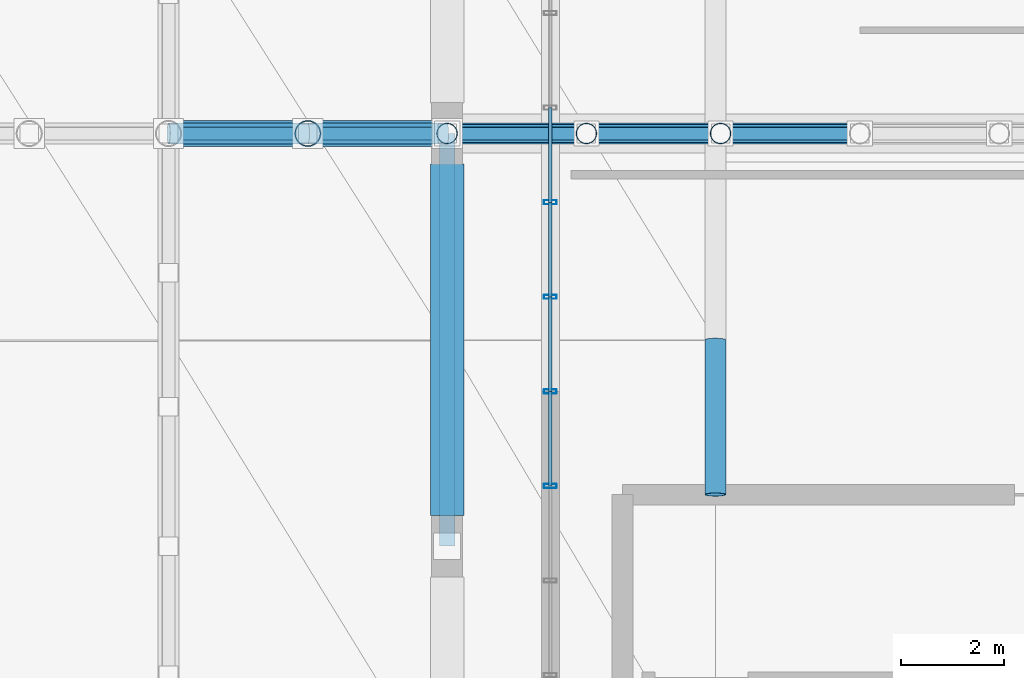
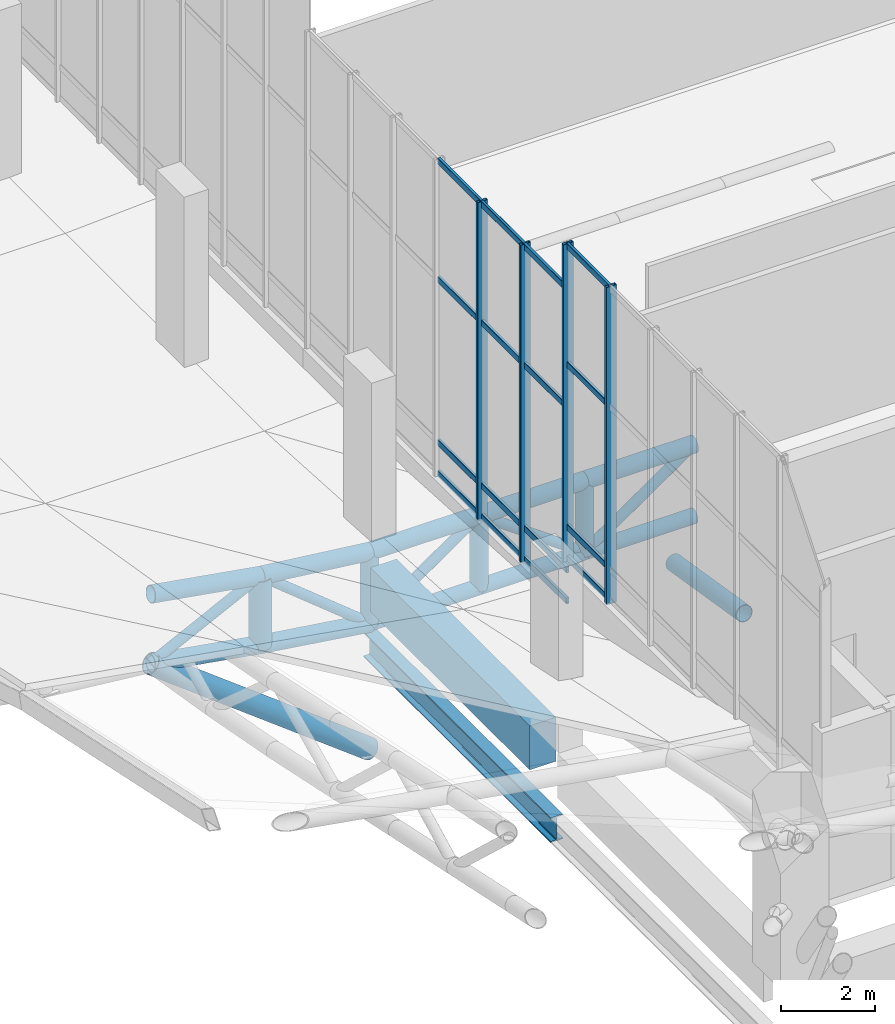
# One storey, part 15 of 137: 41 members, 2 beams, 2 elements without a shape of their own.
"""IFC4 building model written with IfcOpenShell, lengths in metres."""

from ifc_helpers import new_model, si_unit, direction, frame, origin, origin_2d, place, context, subcontext, project, spatial, rectangle, hollow_rectangle, hollow_circle, i_section, extrude, material, layer, layer_set, material_profile, profile_set, type_object, element, aggregate, save


model = new_model("IFC4")

# Units and contexts
model_context = context("Model", 3, precision=1e-05, world=origin(), true_north=direction((0.0, 1.0)))
body_context = subcontext(model_context, "Body", "Model", "MODEL_VIEW")
ifc_project = project(units=[si_unit("LENGTHUNIT", "METRE"), si_unit("AREAUNIT", "SQUARE_METRE"), si_unit("VOLUMEUNIT", "CUBIC_METRE"), si_unit("PLANEANGLEUNIT", "RADIAN"), si_unit("MASSUNIT", "GRAM", prefix="KILO")], contexts=[model_context])

# Site, building, storey
site_placement = place(None, origin())
site = spatial("IfcSite", under=ifc_project, at=site_placement, CompositionType="ELEMENT")
building_placement = place(site_placement, origin())
building = spatial("IfcBuilding", under=site, at=building_placement, Name="Khorjan Park Terminus", CompositionType="ELEMENT")
storey_placement = place(building_placement, frame((0.0, 0.0, 11.4)))
storey = spatial("IfcBuildingStorey", under=building, at=storey_placement, Name="L02", CompositionType="ELEMENT", Elevation=11.4)

# Members
ifc_material_1 = material(Name="Steel S355", Category="steel")
ifc_material_profile_1 = material_profile(ifc_material_1, hollow_circle(Radius=0.1222, WallThickness=0.0125, at=origin_2d()), Name="CHS 244.5x12.5")
ifc_profile_set_1 = profile_set([ifc_material_profile_1], Name="Steel S355")
member_type_1 = type_object("IfcMemberType", Name="MB-BR-245", PredefinedType="BRACE", material=ifc_profile_set_1)
member_1_placement = place(storey_placement, frame((48.0, 44.0, -1.92), z_axis=(0.822082565391, 0.0, 0.569368295289), x_axis=(0.0, 1.0, 0.0)))
element("IfcMember", 1, at=member_1_placement, inside=storey, type_object=member_type_1, Name="Lower shell W/E truss diagonal (W1)", PredefinedType="BRACE", context=body_context, shape_type="SweptSolid", body=[
    extrude(hollow_circle(Radius=0.1222, WallThickness=0.0125, at=origin_2d()), origin(), (0.0, 0.0, 1.0), 3.2843),
])
member_2_placement = place(storey_placement, frame((50.7, 44.0, -0.05), z_axis=(0.811830357573, 0.0, -0.583893372562), x_axis=(0.0, 1.0, 0.0)))
element("IfcMember", 2, at=member_2_placement, inside=storey, type_object=member_type_1, Name="Lower shell W/E truss diagonal (W1)", PredefinedType="BRACE", context=body_context, shape_type="SweptSolid", body=[
    extrude(hollow_circle(Radius=0.1222, WallThickness=0.0125, at=origin_2d()), origin(), (0.0, 0.0, 1.0), 3.2026),
])
member_3_placement = place(storey_placement, frame((53.3, 44.0, -1.92), z_axis=(0.822082565391, 0.0, 0.569368295289), x_axis=(0.0, 1.0, 0.0)))
element("IfcMember", 3, at=member_3_placement, inside=storey, type_object=member_type_1, Name="Lower shell W/E truss diagonal (W1)", PredefinedType="BRACE", context=body_context, shape_type="SweptSolid", body=[
    extrude(hollow_circle(Radius=0.1222, WallThickness=0.0125, at=origin_2d()), origin(), (0.0, 0.0, 1.0), 3.2843),
])
ifc_material_profile_2 = material_profile(ifc_material_1, hollow_circle(Radius=0.1222, WallThickness=0.0125, at=origin_2d()), Name="CHS 244.5x12.5")
ifc_profile_set_2 = profile_set([ifc_material_profile_2], Name="Steel S355")
member_type_2 = type_object("IfcMemberType", Name="MB-BRE-245", PredefinedType="BRACE", material=ifc_profile_set_2)
member_4_placement = place(storey_placement, frame((42.6, 44.0, -1.0767), z_axis=(0.895485989032, 0.0, 0.445089702697), x_axis=(0.0, 1.0, 0.0)))
element("IfcMember", 4, at=member_4_placement, inside=storey, type_object=member_type_2, Name="Lower shell W/E truss diagonal (W1)", PredefinedType="BRACE", context=body_context, shape_type="SweptSolid", body=[
    extrude(hollow_circle(Radius=0.1222, WallThickness=0.0125, at=origin_2d()), origin(), (0.0, 0.0, 1.0), 3.0151),
])
member_5_placement = place(storey_placement, frame((45.3, 44.0, 0.2653), z_axis=(0.777303194685, 0.0, -0.629126174572), x_axis=(0.0, 1.0, 0.0)))
element("IfcMember", 5, at=member_5_placement, inside=storey, type_object=member_type_2, Name="Lower shell W/E truss diagonal (W1)", PredefinedType="BRACE", context=body_context, shape_type="SweptSolid", body=[
    extrude(hollow_circle(Radius=0.1222, WallThickness=0.0125, at=origin_2d()), origin(), (0.0, 0.0, 1.0), 3.4735),
])
ifc_material_profile_3 = material_profile(ifc_material_1, hollow_circle(Radius=0.1778, WallThickness=0.016, at=origin_2d()), Name="CHS 355.6x16")
ifc_profile_set_3 = profile_set([ifc_material_profile_3], Name="Steel S355")
member_type_3 = type_object("IfcMemberType", Name="MB-CH-356", PredefinedType="CHORD", material=ifc_profile_set_3)
member_6_placement = place(storey_placement, frame((48.0, 44.0, -1.92), z_axis=(1.0, 0.0, 0.0), x_axis=(0.0, 1.0, 0.0)))
element("IfcMember", 6, at=member_6_placement, inside=storey, type_object=member_type_3, Name="Lower shell W/E truss bottom chord (W1)", PredefinedType="CHORD", context=body_context, shape_type="SweptSolid", body=[
    extrude(hollow_circle(Radius=0.1778, WallThickness=0.016, at=origin_2d()), origin(), (0.0, 0.0, 1.0), 2.7),
])
member_7_placement = place(storey_placement, frame((50.7, 44.0, -1.92), z_axis=(1.0, 0.0, 0.0), x_axis=(0.0, 1.0, 0.0)))
element("IfcMember", 7, at=member_7_placement, inside=storey, type_object=member_type_3, Name="Lower shell W/E truss bottom chord (W1)", PredefinedType="CHORD", context=body_context, shape_type="SweptSolid", body=[
    extrude(hollow_circle(Radius=0.1778, WallThickness=0.016, at=origin_2d()), origin(), (0.0, 0.0, 1.0), 2.6),
])
member_8_placement = place(storey_placement, frame((53.3, 44.0, -1.92), z_axis=(1.0, 0.0, 0.0), x_axis=(0.0, 1.0, 0.0)))
element("IfcMember", 8, at=member_8_placement, inside=storey, type_object=member_type_3, Name="Lower shell W/E truss bottom chord (W1)", PredefinedType="CHORD", context=body_context, shape_type="SweptSolid", body=[
    extrude(hollow_circle(Radius=0.1778, WallThickness=0.016, at=origin_2d()), origin(), (0.0, 0.0, 1.0), 2.7),
])
ifc_material_profile_4 = material_profile(ifc_material_1, hollow_circle(Radius=0.2032, WallThickness=0.016, at=origin_2d()), Name="CHS 406.4x16")
ifc_profile_set_4 = profile_set([ifc_material_profile_4], Name="Steel S355")
member_type_4 = type_object("IfcMemberType", Name="MB-CH-406", PredefinedType="CHORD", material=ifc_profile_set_4)
member_9_placement = place(storey_placement, frame((53.2, 37.0, 0.754), z_axis=(0.0, 0.98702667737, -0.160556339519), x_axis=(-1.0, 0.0, 0.0)))
element("IfcMember", 9, at=member_9_placement, inside=storey, type_object=member_type_4, Name="Lower wrapping shell rim chord (129)", PredefinedType="CHORD", context=body_context, shape_type="SweptSolid", body=[
    extrude(hollow_circle(Radius=0.2032, WallThickness=0.016, at=origin_2d()), origin(), (0.0, 0.0, 1.0), 3.0394),
])
member_10_placement = place(storey_placement, frame((48.0, 44.0, -0.05), z_axis=(1.0, 0.0, 0.0), x_axis=(0.0, 1.0, 0.0)))
element("IfcMember", 10, at=member_10_placement, inside=storey, type_object=member_type_4, Name="Lower shell W/E truss top chord (W1)", PredefinedType="CHORD", context=body_context, shape_type="SweptSolid", body=[
    extrude(hollow_circle(Radius=0.2032, WallThickness=0.016, at=origin_2d()), origin(), (0.0, 0.0, 1.0), 2.7),
])
member_11_placement = place(storey_placement, frame((50.7, 44.0, -0.05), z_axis=(1.0, 0.0, 0.0), x_axis=(0.0, 1.0, 0.0)))
element("IfcMember", 11, at=member_11_placement, inside=storey, type_object=member_type_4, Name="Lower shell W/E truss top chord (W1)", PredefinedType="CHORD", context=body_context, shape_type="SweptSolid", body=[
    extrude(hollow_circle(Radius=0.2032, WallThickness=0.016, at=origin_2d()), origin(), (0.0, 0.0, 1.0), 2.6),
])
member_12_placement = place(storey_placement, frame((53.3, 44.0, -0.05), z_axis=(1.0, 0.0, 0.0), x_axis=(0.0, 1.0, 0.0)))
element("IfcMember", 12, at=member_12_placement, inside=storey, type_object=member_type_4, Name="Lower shell W/E truss top chord (W1)", PredefinedType="CHORD", context=body_context, shape_type="SweptSolid", body=[
    extrude(hollow_circle(Radius=0.2032, WallThickness=0.016, at=origin_2d()), origin(), (0.0, 0.0, 1.0), 2.7),
])
ifc_material_profile_5 = material_profile(ifc_material_1, hollow_circle(Radius=0.2032, WallThickness=0.016, at=origin_2d()), Name="CHS 406.4x16")
ifc_profile_set_5 = profile_set([ifc_material_profile_5], Name="Steel S355")
member_type_5 = type_object("IfcMemberType", Name="MB-CHE-406", PredefinedType="CHORD", material=ifc_profile_set_5)
for number, where, z_axis, x_axis, name in (
    (13, (42.6, 44.0, 0.7233), (0.985916115378, 0.0, -0.167240585497), (0.0, 1.0, 0.0), "Lower shell W/E truss top chord (W1)"),
    (14, (42.6, 44.0, -1.0767), (0.985916115378, 0.0, -0.167240585497), (0.0, 1.0, 0.0), "Lower shell W/E truss bottom chord (W1)"),
):
    element("IfcMember", number, at=place(storey_placement, frame(where, z_axis=z_axis, x_axis=x_axis)), inside=storey, type_object=member_type_5, Name=name, PredefinedType="CHORD", context=body_context, shape_type="SweptSolid", body=[
        extrude(hollow_circle(Radius=0.2032, WallThickness=0.016, at=origin_2d()), origin(), (0.0, 0.0, 1.0), 2.7386),
    ])
member_13_placement = place(storey_placement, frame((45.3, 44.0, 0.2653), z_axis=(0.993250430547, 0.0, -0.115989578056), x_axis=(0.0, 1.0, 0.0)))
element("IfcMember", 15, at=member_13_placement, inside=storey, type_object=member_type_5, Name="Lower shell W/E truss top chord (W1)", PredefinedType="CHORD", context=body_context, shape_type="SweptSolid", body=[
    extrude(hollow_circle(Radius=0.2032, WallThickness=0.016, at=origin_2d()), origin(), (0.0, 0.0, 1.0), 2.7183),
])
member_14_placement = place(storey_placement, frame((45.3, 44.0, -1.5347), z_axis=(0.989970748507, 0.0, -0.14127249237), x_axis=(0.0, 1.0, 0.0)))
element("IfcMember", 16, at=member_14_placement, inside=storey, type_object=member_type_5, Name="Lower shell W/E truss bottom chord (W1)", PredefinedType="CHORD", context=body_context, shape_type="SweptSolid", body=[
    extrude(hollow_circle(Radius=0.2032, WallThickness=0.016, at=origin_2d()), origin(), (0.0, 0.0, 1.0), 2.7274),
])
ifc_material_profile_6 = material_profile(ifc_material_1, hollow_circle(Radius=0.2032, WallThickness=0.016, at=origin_2d()), Name="CHS 406.4x16")
ifc_profile_set_6 = profile_set([ifc_material_profile_6], Name="Steel S355")
member_type_6 = type_object("IfcMemberType", Name="MB-ST-406", PredefinedType="STRUT", material=ifc_profile_set_6)
for number, where, z_axis, x_axis, name in (
    (17, (48.0, 44.0, -1.92), (0.0, 0.0, 1.0), (1.0, 0.0, 0.0), "Lower shell W/E truss post (W1)"),
    (18, (50.7, 44.0, -1.92), (0.0, 0.0, 1.0), (1.0, 0.0, 0.0), "Lower shell W/E truss post (W1)"),
    (19, (53.3, 44.0, -1.92), (0.0, 0.0, 1.0), (1.0, 0.0, 0.0), "Lower shell W/E truss post (W1)"),
):
    element("IfcMember", number, at=place(storey_placement, frame(where, z_axis=z_axis, x_axis=x_axis)), inside=storey, type_object=member_type_6, Name=name, PredefinedType="STRUT", context=body_context, shape_type="SweptSolid", body=[
        extrude(hollow_circle(Radius=0.2032, WallThickness=0.016, at=origin_2d()), origin(), (0.0, 0.0, 1.0), 1.87),
    ])
ifc_material_profile_7 = material_profile(ifc_material_1, hollow_circle(Radius=0.254, WallThickness=0.02, at=origin_2d()), Name="CHS 508x20")
ifc_profile_set_7 = profile_set([ifc_material_profile_7], Name="Steel S355")
member_type_7 = type_object("IfcMemberType", Name="MB-STE-508", PredefinedType="STRUT", material=ifc_profile_set_7)
member_15_placement = place(storey_placement, frame((45.3, 44.0, -1.5347), z_axis=(0.0, 0.0, 1.0), x_axis=(1.0, 0.0, 0.0)))
element("IfcMember", 20, at=member_15_placement, inside=storey, type_object=member_type_7, Name="Lower shell W/E truss post (W1)", PredefinedType="STRUT", context=body_context, shape_type="SweptSolid", body=[
    extrude(hollow_circle(Radius=0.254, WallThickness=0.02, at=origin_2d()), origin(), (0.0, 0.0, 1.0), 1.8),
])
member_16_placement = place(storey_placement, frame((48.0, 44.0, -5.2), z_axis=(-0.79479169339, 0.0, 0.606882331362), x_axis=(0.0, -1.0, 0.0)))
element("IfcMember", 21, at=member_16_placement, inside=storey, type_object=member_type_7, Name="Lower shell W/E raked V-strut STE-51 (W1)", PredefinedType="STRUT", context=body_context, shape_type="SweptSolid", body=[
    extrude(hollow_circle(Radius=0.254, WallThickness=0.02, at=origin_2d()), origin(), (0.0, 0.0, 1.0), 6.7942),
])

# Curtain wall, members
ifc_material_2 = material(Name="Anodized Bronze Aluminium", Category="aluminium")
ifc_layer = layer(ifc_material_2, 0.22)
ifc_layer_set = layer_set([ifc_layer], Name="Anodized Bronze Aluminium")
curtain_wall_type = type_object("IfcCurtainWallType", Name="CW-CONC-CLR", PredefinedType="NOTDEFINED", material=ifc_layer_set)
curtain_wall_1_placement = place(storey_placement, origin())
curtain_wall_1 = element("IfcCurtainWall", 22, at=curtain_wall_1_placement, inside=storey, type_object=curtain_wall_type, Name="Unitized curtain wall CW-CL (CW-V2-W-CLR-01)", PredefinedType="NOTDEFINED")
ifc_material_profile_8 = material_profile(ifc_material_2, hollow_rectangle(XDim=0.08, YDim=0.25, WallThickness=0.005, InnerFilletRadius=0.005, OuterFilletRadius=0.01, at=origin_2d()), Name="ALM 80x250x5")
ifc_profile_set_8 = profile_set([ifc_material_profile_8], Name="Anodized Bronze Aluminium")
member_type_8 = type_object("IfcMemberType", Name="ML-ALM-250", PredefinedType="MULLION", material=ifc_profile_set_8)
member_17_placement = place(storey_placement, frame((50.0, 39.0, 2.056), z_axis=(0.0, 0.0, 1.0), x_axis=(0.0, -1.0, 0.0)))
member_17 = element("IfcMember", 23, at=member_17_placement, type_object=member_type_8, Name="Curtain-wall mullion ML-25 (CW-V2-W-CLR-01-0)", PredefinedType="MULLION", context=body_context, shape_type="SweptSolid", body=[
    extrude(hollow_rectangle(XDim=0.08, YDim=0.25, WallThickness=0.005, InnerFilletRadius=0.005, OuterFilletRadius=0.01, at=origin_2d()), origin(), (0.0, 0.0, 1.0), 8.2803),
])
member_18_placement = place(storey_placement, frame((50.0, 37.1667, 2.056), z_axis=(0.0, 0.0, 1.0), x_axis=(0.0, -1.0, 0.0)))
member_18 = element("IfcMember", 24, at=member_18_placement, type_object=member_type_8, Name="Curtain-wall mullion ML-25 (CW-V2-W-CLR-01-1)", PredefinedType="MULLION", context=body_context, shape_type="SweptSolid", body=[
    extrude(hollow_rectangle(XDim=0.08, YDim=0.25, WallThickness=0.005, InnerFilletRadius=0.005, OuterFilletRadius=0.01, at=origin_2d()), origin(), (0.0, 0.0, 1.0), 8.2803),
])

curtain_wall_2_placement = place(storey_placement, origin())
curtain_wall_2 = element("IfcCurtainWall", 25, at=curtain_wall_2_placement, inside=storey, type_object=curtain_wall_type, Name="Unitized curtain wall CW-CL (CW-V2-W-CLR-02)", PredefinedType="NOTDEFINED")
member_19_placement = place(storey_placement, frame((50.0, 42.6667, 0.915), z_axis=(0.0, 0.0, 1.0), x_axis=(0.0, -1.0, 0.0)))
member_19 = element("IfcMember", 26, at=member_19_placement, type_object=member_type_8, Name="Curtain-wall mullion ML-25 (CW-V2-W-CLR-02-4)", PredefinedType="MULLION", context=body_context, shape_type="SweptSolid", body=[
    extrude(hollow_rectangle(XDim=0.08, YDim=0.25, WallThickness=0.005, InnerFilletRadius=0.005, OuterFilletRadius=0.01, at=origin_2d()), origin(), (0.0, 0.0, 1.0), 8.2978),
])
member_20_placement = place(storey_placement, frame((50.0, 40.8333, 0.915), z_axis=(0.0, 0.0, 1.0), x_axis=(0.0, -1.0, 0.0)))
member_20 = element("IfcMember", 27, at=member_20_placement, type_object=member_type_8, Name="Curtain-wall mullion ML-25 (CW-V2-W-CLR-02-5)", PredefinedType="MULLION", context=body_context, shape_type="SweptSolid", body=[
    extrude(hollow_rectangle(XDim=0.08, YDim=0.25, WallThickness=0.005, InnerFilletRadius=0.005, OuterFilletRadius=0.01, at=origin_2d()), origin(), (0.0, 0.0, 1.0), 8.2978),
])

# Beams
ifc_material_profile_9 = material_profile(ifc_material_1, i_section(OverallWidth=0.3, OverallDepth=0.65, WebThickness=0.016, FlangeThickness=0.031, FilletRadius=0.027, at=origin_2d()), Name="HEB 650")
ifc_profile_set_9 = profile_set([ifc_material_profile_9], Name="Steel S355")
beam_type_1 = type_object("IfcBeamType", Name="SP-HEB650E", PredefinedType="SPANDREL", material=ifc_profile_set_9)
beam_1_placement = place(storey_placement, frame((48.0, 36.0, -2.425), z_axis=(0.0, 1.0, 0.0), x_axis=(-1.0, 0.0, 0.0)))
element("IfcBeam", 28, at=beam_1_placement, inside=storey, type_object=beam_type_1, Name="Lower shell truss support girder SP-E65 (Y33)", PredefinedType="SPANDREL", context=body_context, shape_type="SweptSolid", body=[
    extrude(i_section(OverallWidth=0.3, OverallDepth=0.65, WebThickness=0.016, FlangeThickness=0.031, FilletRadius=0.027, at=origin_2d()), origin(), (0.0, 0.0, 1.0), 8.0),
])
ifc_material_3 = material(Name="Concrete C50/60", Category="concrete")
ifc_material_profile_10 = material_profile(ifc_material_3, rectangle(XDim=0.65, YDim=1.15, at=origin_2d()), Name="RC 650x1150")
ifc_profile_set_10 = profile_set([ifc_material_profile_10], Name="Concrete C50/60")
beam_type_2 = type_object("IfcBeamType", Name="SP-RC650x1150", PredefinedType="SPANDREL", material=ifc_profile_set_10)
beam_2_placement = place(storey_placement, frame((48.0, 36.595, -0.575), z_axis=(0.0, 1.0, 0.0), x_axis=(-1.0, 0.0, 0.0)))
element("IfcBeam", 29, at=beam_2_placement, inside=storey, type_object=beam_type_2, Name="Concourse lower colonnade ring beam SP-11 (L02-61)", PredefinedType="SPANDREL", context=body_context, shape_type="SweptSolid", body=[
    extrude(rectangle(XDim=0.65, YDim=1.15, at=origin_2d()), origin(), (0.0, 0.0, 1.0), 6.81),
])

# Member
ifc_material_profile_11 = material_profile(ifc_material_2, hollow_rectangle(XDim=0.07, YDim=0.16, WallThickness=0.004, InnerFilletRadius=0.004, OuterFilletRadius=0.008, at=origin_2d()), Name="ALT 70x160x4")
ifc_profile_set_11 = profile_set([ifc_material_profile_11], Name="Anodized Bronze Aluminium")
member_type_9 = type_object("IfcMemberType", Name="TR-ALT-160", PredefinedType="USERDEFINED", material=ifc_profile_set_11)
member_21_placement = place(storey_placement, frame((50.0, 39.0, 2.131), z_axis=(0.0, -1.0, 0.0), x_axis=(1.0, 0.0, 0.0)))
member_21 = element("IfcMember", 30, at=member_21_placement, type_object=member_type_9, Name="Curtain-wall transom TR-16 (CW-V2-W-CLR-01-0-1)", ObjectType="TRANSOM", PredefinedType="USERDEFINED", context=body_context, shape_type="SweptSolid", body=[
    extrude(hollow_rectangle(XDim=0.07, YDim=0.16, WallThickness=0.004, InnerFilletRadius=0.004, OuterFilletRadius=0.008, at=origin_2d()), origin(), (0.0, 0.0, 1.0), 1.8333),
])

member_22_placement = place(storey_placement, frame((50.0, 39.0, 2.941), z_axis=(0.0, -1.0, 0.0), x_axis=(1.0, 0.0, 0.0)))
member_22 = element("IfcMember", 31, at=member_22_placement, type_object=member_type_9, Name="Curtain-wall transom TR-16 (CW-V2-W-CLR-01-0-2)", ObjectType="TRANSOM", PredefinedType="USERDEFINED", context=body_context, shape_type="SweptSolid", body=[
    extrude(hollow_rectangle(XDim=0.07, YDim=0.16, WallThickness=0.004, InnerFilletRadius=0.004, OuterFilletRadius=0.008, at=origin_2d()), origin(), (0.0, 0.0, 1.0), 1.8333),
])

member_23_placement = place(storey_placement, frame((50.0, 39.0, 7.1814), z_axis=(0.0, -1.0, 0.0), x_axis=(1.0, 0.0, 0.0)))
member_23 = element("IfcMember", 32, at=member_23_placement, type_object=member_type_9, Name="Curtain-wall transom TR-16 (CW-V2-W-CLR-01-0-3)", ObjectType="TRANSOM", PredefinedType="USERDEFINED", context=body_context, shape_type="SweptSolid", body=[
    extrude(hollow_rectangle(XDim=0.07, YDim=0.16, WallThickness=0.004, InnerFilletRadius=0.004, OuterFilletRadius=0.008, at=origin_2d()), origin(), (0.0, 0.0, 1.0), 1.8333),
])

member_24_placement = place(storey_placement, frame((50.0, 39.0, 10.2613), z_axis=(0.0, -1.0, 0.0), x_axis=(1.0, 0.0, 0.0)))
member_24 = element("IfcMember", 33, at=member_24_placement, type_object=member_type_9, Name="Curtain-wall transom TR-16 (CW-V2-W-CLR-01-0-4)", ObjectType="TRANSOM", PredefinedType="USERDEFINED", context=body_context, shape_type="SweptSolid", body=[
    extrude(hollow_rectangle(XDim=0.07, YDim=0.16, WallThickness=0.004, InnerFilletRadius=0.004, OuterFilletRadius=0.008, at=origin_2d()), origin(), (0.0, 0.0, 1.0), 1.8333),
])

aggregate(curtain_wall_1, [member_17, member_18, member_21, member_22, member_23, member_24])

member_25_placement = place(storey_placement, frame((50.0, 44.5, 0.99), z_axis=(0.0, -1.0, 0.0), x_axis=(1.0, 0.0, 0.0)))
member_25 = element("IfcMember", 34, at=member_25_placement, type_object=member_type_9, Name="Curtain-wall transom TR-16 (CW-V2-W-CLR-02-3-1)", ObjectType="TRANSOM", PredefinedType="USERDEFINED", context=body_context, shape_type="SweptSolid", body=[
    extrude(hollow_rectangle(XDim=0.07, YDim=0.16, WallThickness=0.004, InnerFilletRadius=0.004, OuterFilletRadius=0.008, at=origin_2d()), origin(), (0.0, 0.0, 1.0), 1.8333),
])

member_26_placement = place(storey_placement, frame((50.0, 44.5, 1.8), z_axis=(0.0, -1.0, 0.0), x_axis=(1.0, 0.0, 0.0)))
member_26 = element("IfcMember", 35, at=member_26_placement, type_object=member_type_9, Name="Curtain-wall transom TR-16 (CW-V2-W-CLR-02-3-2)", ObjectType="TRANSOM", PredefinedType="USERDEFINED", context=body_context, shape_type="SweptSolid", body=[
    extrude(hollow_rectangle(XDim=0.07, YDim=0.16, WallThickness=0.004, InnerFilletRadius=0.004, OuterFilletRadius=0.008, at=origin_2d()), origin(), (0.0, 0.0, 1.0), 1.8333),
])

member_27_placement = place(storey_placement, frame((50.0, 44.5, 6.0512), z_axis=(0.0, -1.0, 0.0), x_axis=(1.0, 0.0, 0.0)))
member_27 = element("IfcMember", 36, at=member_27_placement, type_object=member_type_9, Name="Curtain-wall transom TR-16 (CW-V2-W-CLR-02-3-3)", ObjectType="TRANSOM", PredefinedType="USERDEFINED", context=body_context, shape_type="SweptSolid", body=[
    extrude(hollow_rectangle(XDim=0.07, YDim=0.16, WallThickness=0.004, InnerFilletRadius=0.004, OuterFilletRadius=0.008, at=origin_2d()), origin(), (0.0, 0.0, 1.0), 1.8333),
])

member_28_placement = place(storey_placement, frame((50.0, 44.5, 9.1378), z_axis=(0.0, -1.0, 0.0), x_axis=(1.0, 0.0, 0.0)))
member_28 = element("IfcMember", 37, at=member_28_placement, type_object=member_type_9, Name="Curtain-wall transom TR-16 (CW-V2-W-CLR-02-3-4)", ObjectType="TRANSOM", PredefinedType="USERDEFINED", context=body_context, shape_type="SweptSolid", body=[
    extrude(hollow_rectangle(XDim=0.07, YDim=0.16, WallThickness=0.004, InnerFilletRadius=0.004, OuterFilletRadius=0.008, at=origin_2d()), origin(), (0.0, 0.0, 1.0), 1.8333),
])

member_29_placement = place(storey_placement, frame((50.0, 42.6667, 0.99), z_axis=(0.0, -1.0, 0.0), x_axis=(1.0, 0.0, 0.0)))
member_29 = element("IfcMember", 38, at=member_29_placement, type_object=member_type_9, Name="Curtain-wall transom TR-16 (CW-V2-W-CLR-02-4-1)", ObjectType="TRANSOM", PredefinedType="USERDEFINED", context=body_context, shape_type="SweptSolid", body=[
    extrude(hollow_rectangle(XDim=0.07, YDim=0.16, WallThickness=0.004, InnerFilletRadius=0.004, OuterFilletRadius=0.008, at=origin_2d()), origin(), (0.0, 0.0, 1.0), 1.8334),
])

member_30_placement = place(storey_placement, frame((50.0, 42.6667, 1.8), z_axis=(0.0, -1.0, 0.0), x_axis=(1.0, 0.0, 0.0)))
member_30 = element("IfcMember", 39, at=member_30_placement, type_object=member_type_9, Name="Curtain-wall transom TR-16 (CW-V2-W-CLR-02-4-2)", ObjectType="TRANSOM", PredefinedType="USERDEFINED", context=body_context, shape_type="SweptSolid", body=[
    extrude(hollow_rectangle(XDim=0.07, YDim=0.16, WallThickness=0.004, InnerFilletRadius=0.004, OuterFilletRadius=0.008, at=origin_2d()), origin(), (0.0, 0.0, 1.0), 1.8334),
])

member_31_placement = place(storey_placement, frame((50.0, 42.6667, 6.0512), z_axis=(0.0, -1.0, 0.0), x_axis=(1.0, 0.0, 0.0)))
member_31 = element("IfcMember", 40, at=member_31_placement, type_object=member_type_9, Name="Curtain-wall transom TR-16 (CW-V2-W-CLR-02-4-3)", ObjectType="TRANSOM", PredefinedType="USERDEFINED", context=body_context, shape_type="SweptSolid", body=[
    extrude(hollow_rectangle(XDim=0.07, YDim=0.16, WallThickness=0.004, InnerFilletRadius=0.004, OuterFilletRadius=0.008, at=origin_2d()), origin(), (0.0, 0.0, 1.0), 1.8334),
])

member_32_placement = place(storey_placement, frame((50.0, 42.6667, 9.1378), z_axis=(0.0, -1.0, 0.0), x_axis=(1.0, 0.0, 0.0)))
member_32 = element("IfcMember", 41, at=member_32_placement, type_object=member_type_9, Name="Curtain-wall transom TR-16 (CW-V2-W-CLR-02-4-4)", ObjectType="TRANSOM", PredefinedType="USERDEFINED", context=body_context, shape_type="SweptSolid", body=[
    extrude(hollow_rectangle(XDim=0.07, YDim=0.16, WallThickness=0.004, InnerFilletRadius=0.004, OuterFilletRadius=0.008, at=origin_2d()), origin(), (0.0, 0.0, 1.0), 1.8334),
])

member_33_placement = place(storey_placement, frame((50.0, 40.8333, 0.99), z_axis=(0.0, -1.0, 0.0), x_axis=(1.0, 0.0, 0.0)))
member_33 = element("IfcMember", 42, at=member_33_placement, type_object=member_type_9, Name="Curtain-wall transom TR-16 (CW-V2-W-CLR-02-5-1)", ObjectType="TRANSOM", PredefinedType="USERDEFINED", context=body_context, shape_type="SweptSolid", body=[
    extrude(hollow_rectangle(XDim=0.07, YDim=0.16, WallThickness=0.004, InnerFilletRadius=0.004, OuterFilletRadius=0.008, at=origin_2d()), origin(), (0.0, 0.0, 1.0), 1.8333),
])

member_34_placement = place(storey_placement, frame((50.0, 40.8333, 1.8), z_axis=(0.0, -1.0, 0.0), x_axis=(1.0, 0.0, 0.0)))
member_34 = element("IfcMember", 43, at=member_34_placement, type_object=member_type_9, Name="Curtain-wall transom TR-16 (CW-V2-W-CLR-02-5-2)", ObjectType="TRANSOM", PredefinedType="USERDEFINED", context=body_context, shape_type="SweptSolid", body=[
    extrude(hollow_rectangle(XDim=0.07, YDim=0.16, WallThickness=0.004, InnerFilletRadius=0.004, OuterFilletRadius=0.008, at=origin_2d()), origin(), (0.0, 0.0, 1.0), 1.8333),
])

member_35_placement = place(storey_placement, frame((50.0, 40.8333, 6.0512), z_axis=(0.0, -1.0, 0.0), x_axis=(1.0, 0.0, 0.0)))
member_35 = element("IfcMember", 44, at=member_35_placement, type_object=member_type_9, Name="Curtain-wall transom TR-16 (CW-V2-W-CLR-02-5-3)", ObjectType="TRANSOM", PredefinedType="USERDEFINED", context=body_context, shape_type="SweptSolid", body=[
    extrude(hollow_rectangle(XDim=0.07, YDim=0.16, WallThickness=0.004, InnerFilletRadius=0.004, OuterFilletRadius=0.008, at=origin_2d()), origin(), (0.0, 0.0, 1.0), 1.8333),
])

member_36_placement = place(storey_placement, frame((50.0, 40.8333, 9.1378), z_axis=(0.0, -1.0, 0.0), x_axis=(1.0, 0.0, 0.0)))
member_36 = element("IfcMember", 45, at=member_36_placement, type_object=member_type_9, Name="Curtain-wall transom TR-16 (CW-V2-W-CLR-02-5-4)", ObjectType="TRANSOM", PredefinedType="USERDEFINED", context=body_context, shape_type="SweptSolid", body=[
    extrude(hollow_rectangle(XDim=0.07, YDim=0.16, WallThickness=0.004, InnerFilletRadius=0.004, OuterFilletRadius=0.008, at=origin_2d()), origin(), (0.0, 0.0, 1.0), 1.8333),
])

aggregate(curtain_wall_2, [member_19, member_20, member_25, member_26, member_27, member_28, member_29, member_30, member_31, member_32, member_33, member_34, member_35, member_36])

save(model, "model.ifc")
